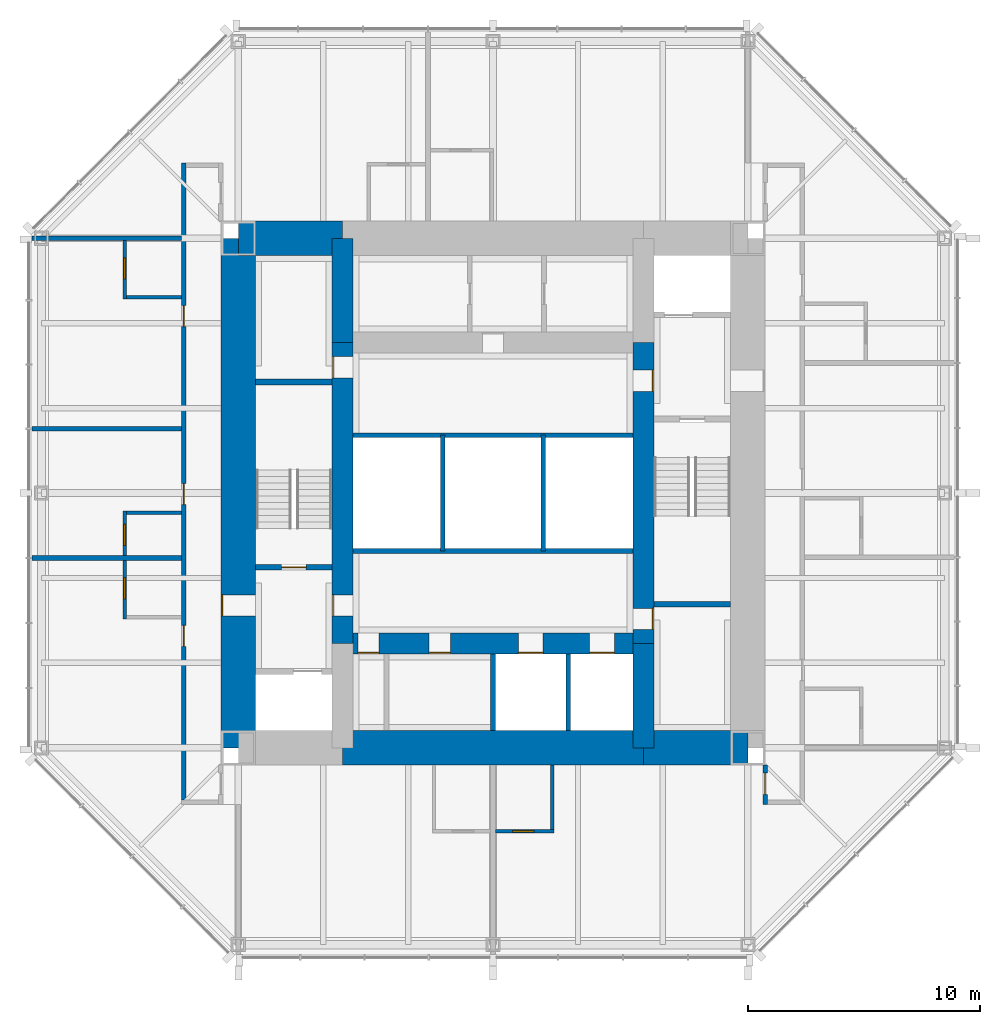
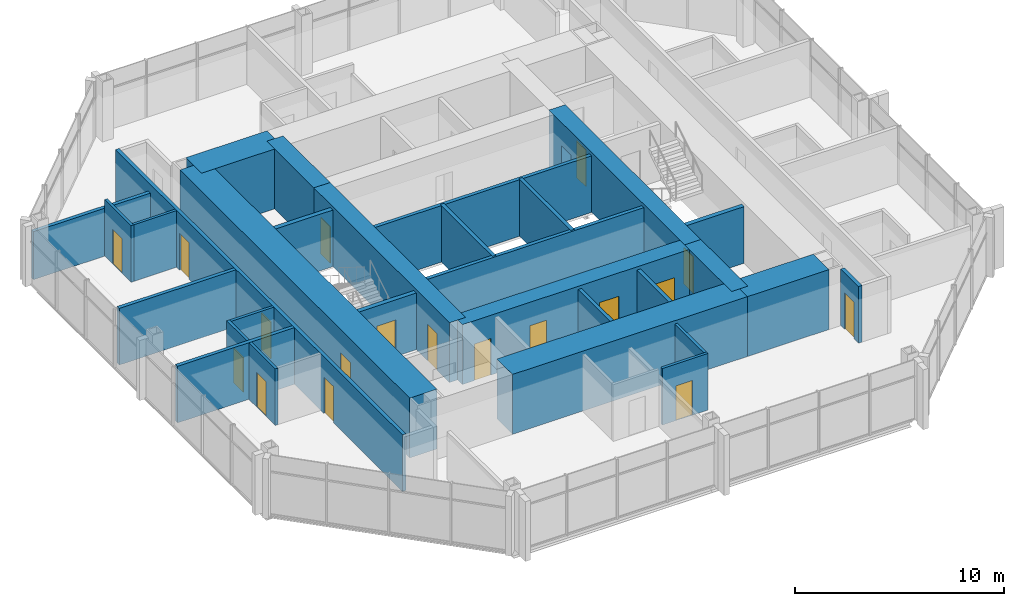
# One storey, part 8 of 11: 30 walls, 18 doors, 18 openings.
"""IFC4 building model written with IfcOpenShell, lengths in metres."""

import ifcopenshell
import ifcopenshell.guid

model = None  # the IFC model being written
_history = None  # IfcOwnerHistory: only IFC2X3 demands one
_inside = {}  # id of a spatial element -> (the spatial element, [elements in it])
_under = {}  # id of a project, library or spatial element -> (it, [spatial elements below it])
_declared = {}  # id of a project -> (the project, [libraries it declares])
_typed = {}  # id of a type object -> (the type object, [elements of that type])
_made_of = {}  # id of a material, layer set ... -> (it, [elements and type objects made of it])


def new_model(schema):
    """Start an empty IFC model of exactly this schema.

    Asked for "IFC4X3", IfcOpenShell would pick the latest addendum, in which some entities
    have other attributes; the version numbers below select the first issue.
    IFC2X3 requires an IfcOwnerHistory on every rooted entity: one is made here for all.
    """
    global model, _history
    if schema == "IFC4X3":
        model = ifcopenshell.file(schema_version=(4, 3, 0, 0))
    else:
        model = ifcopenshell.file(schema=schema)
    _inside.clear()
    _under.clear()
    _declared.clear()
    _typed.clear()
    _made_of.clear()
    _history = None
    if model.schema == "IFC2X3":
        org = make("IfcOrganization", Name="unknown")
        user = make(
            "IfcPersonAndOrganization",
            ThePerson=make("IfcPerson", FamilyName="unknown"),
            TheOrganization=org,
        )
        app = make(
            "IfcApplication",
            ApplicationDeveloper=org,
            Version="unknown",
            ApplicationFullName="unknown",
            ApplicationIdentifier="unknown",
        )
        _history = make(
            "IfcOwnerHistory",
            OwningUser=user,
            OwningApplication=app,
            ChangeAction="ADDED",
            CreationDate=0,
        )
    return model


def make(cls, **values):
    """One entity of the class cls with the attributes given. An attribute that is None is left unset."""
    return model.create_entity(
        cls, **{name: value for name, value in values.items() if value is not None}
    )


def rooted(cls, **values):
    """An entity with a GlobalId (a new one), such as an element, a storey or a relation."""
    return make(cls, GlobalId=ifcopenshell.guid.new(), OwnerHistory=_history, **values)


def si_unit(unit_type, name, prefix=None):
    """IfcSIUnit, for example si_unit("LENGTHUNIT", "METRE", prefix="MILLI")."""
    return make("IfcSIUnit", UnitType=unit_type, Prefix=prefix, Name=name)


def assignment(units):
    """IfcUnitAssignment: the units of a project."""
    return None if units is None else make("IfcUnitAssignment", Units=units)


def point(xyz):
    """IfcCartesianPoint."""
    return None if xyz is None else make("IfcCartesianPoint", Coordinates=xyz)


def direction(xyz):
    """IfcDirection."""
    return None if xyz is None else make("IfcDirection", DirectionRatios=xyz)


def frame(location, z_axis=None, x_axis=None):
    """IfcAxis2Placement3D, a coordinate frame: its origin and axes. An axis left out is left unset."""
    return make(
        "IfcAxis2Placement3D",
        Location=point(location),
        Axis=direction(z_axis),
        RefDirection=direction(x_axis),
    )


def frame_2d(location, x_axis=None):
    """IfcAxis2Placement2D, a coordinate frame in the plane: its origin and x axis."""
    return make(
        "IfcAxis2Placement2D", Location=point(location), RefDirection=direction(x_axis)
    )


def origin():
    """The frame at (0, 0, 0) with its axes left unset."""
    return frame((0.0, 0.0, 0.0))


def place(relative_to, where):
    """IfcLocalPlacement: puts the frame where relative to a parent placement (None: the world)."""
    return make(
        "IfcLocalPlacement", PlacementRelTo=relative_to, RelativePlacement=where
    )


def context(
    kind, dimensions, precision=None, world=None, true_north=None, identifier=None
):
    """IfcGeometricRepresentationContext, for example the 3D "Model" context."""
    return make(
        "IfcGeometricRepresentationContext",
        ContextIdentifier=identifier,
        ContextType=kind,
        CoordinateSpaceDimension=dimensions,
        Precision=precision,
        WorldCoordinateSystem=world,
        TrueNorth=true_north,
    )


def subcontext(parent, identifier, kind, view, scale=None):
    """IfcGeometricRepresentationSubContext, for example "Body" below "Model"."""
    return make(
        "IfcGeometricRepresentationSubContext",
        ContextIdentifier=identifier,
        ContextType=kind,
        ParentContext=parent,
        TargetScale=scale,
        TargetView=view,
    )


def project(units=None, contexts=None):
    """IfcProject with its units and contexts."""
    return rooted(
        "IfcProject",
        Name="project",
        RepresentationContexts=contexts,
        UnitsInContext=assignment(units),
    )


def spatial(cls, under=None, at=None, **own):
    """A site, building, storey or space (cls), placed at a placement, below another one or the project."""
    s = rooted(cls, ObjectPlacement=at, **own)
    if under is not None:
        _under.setdefault(under.id(), (under, []))[1].append(s)
    return s


def profile(cls, at=None, kind="AREA", **sizes):
    """A parametric profile (cls). Its sizes go by their IFC names, for example OverallWidth=200.0."""
    return make(cls, ProfileType=kind, Position=at, **sizes)


def rectangle(**sizes):
    """IfcRectangleProfileDef."""
    return profile("IfcRectangleProfileDef", **sizes)


def extrude(swept, where, along, depth):
    """IfcExtrudedAreaSolid: the profile swept, set in the frame where, extruded along a direction by depth."""
    return make(
        "IfcExtrudedAreaSolid",
        SweptArea=swept,
        Position=where,
        ExtrudedDirection=direction(along),
        Depth=depth,
    )


def shape(context_of_items, identifier, shape_type, items):
    """IfcShapeRepresentation: the items that make up one representation, for example the "Body"."""
    return make(
        "IfcShapeRepresentation",
        ContextOfItems=context_of_items,
        RepresentationIdentifier=identifier,
        RepresentationType=shape_type,
        Items=items,
    )


def material(Name=None, Category=None):
    """IfcMaterial."""
    return make("IfcMaterial", Name=Name, Category=Category)


def layer(
    of_material, thickness, ventilated=None, Name=None, Category=None, Priority=None
):
    """IfcMaterialLayer: one layer of a wall or slab, of a material (None: an air gap)."""
    return make(
        "IfcMaterialLayer",
        Material=of_material,
        LayerThickness=thickness,
        IsVentilated=ventilated,
        Name=Name,
        Category=Category,
        Priority=Priority,
    )


def layer_set(layers, Name=None):
    """IfcMaterialLayerSet."""
    return make("IfcMaterialLayerSet", MaterialLayers=layers, LayerSetName=Name)


def made_of(thing, what):
    """Note that an element or type object is made of a material, layer set ...; save() writes the relation."""
    if what is not None:
        _made_of.setdefault(what.id(), (what, []))[1].append(thing)
    return thing


def type_object(cls, material=None, **own):
    """A type object (cls), such as IfcWallType, which elements share."""
    return made_of(rooted(cls, **own), material)


def element(
    cls,
    number,
    at=None,
    inside=None,
    cuts=None,
    type_object=None,
    material=None,
    context=None,
    identifier="Body",
    shape_type=None,
    held_by="IfcProductDefinitionShape",
    body=None,
    shapes=None,
    **own,
):
    """One element of the class cls, such as IfcWall. Its Tag is "e" and its number.

    at: its placement. inside: the storey or other place that contains it. cuts: it is an
    opening in that element (IfcRelVoidsElement). A single representation is given by context,
    identifier, shape_type and body (its items); several are given by shapes. held_by: the class
    of the entity that holds the representations. save() writes the other relations.
    """
    e = rooted(cls, Tag="e%d" % number, ObjectPlacement=at, **own)
    if body is not None:
        shapes = [shape(context, identifier, shape_type, body)]
    if shapes is not None:
        e.Representation = make(held_by, Representations=shapes)
    if inside is not None:
        _inside.setdefault(inside.id(), (inside, []))[1].append(e)
    if cuts is not None:
        rooted(
            "IfcRelVoidsElement", RelatingBuildingElement=cuts, RelatedOpeningElement=e
        )
    if type_object is not None:
        _typed.setdefault(type_object.id(), (type_object, []))[1].append(e)
    return made_of(e, material)


def fill(opening, filler):
    """IfcRelFillsElement: the door or window that sits in an opening."""
    return rooted(
        "IfcRelFillsElement",
        RelatingOpeningElement=opening,
        RelatedBuildingElement=filler,
    )


def aggregate(whole, parts):
    """IfcRelAggregates: a whole, such as a stair, and the parts it consists of."""
    return rooted("IfcRelAggregates", RelatingObject=whole, RelatedObjects=parts)


def save(model, path):
    """Write the relations noted so far, then the file.

    IfcRelAggregates (storeys below a building ...), IfcRelContainedInSpatialStructure (elements
    in a storey), IfcRelDefinesByType, IfcRelAssociatesMaterial and IfcRelDeclares: one each for
    every whole, place, type object, material and project.
    """
    for whole, parts in _under.values():
        aggregate(whole, parts)
    for where, things in _inside.values():
        rooted(
            "IfcRelContainedInSpatialStructure",
            RelatedElements=things,
            RelatingStructure=where,
        )
    for kind, things in _typed.values():
        rooted("IfcRelDefinesByType", RelatedObjects=things, RelatingType=kind)
    for what, things in _made_of.values():
        rooted("IfcRelAssociatesMaterial", RelatedObjects=things, RelatingMaterial=what)
    for by, libraries in _declared.values():
        rooted("IfcRelDeclares", RelatingContext=by, RelatedDefinitions=libraries)
    model.write(path)


model = new_model("IFC4")

# Units and contexts
model_context = context("Model", 3, precision=1e-05, world=origin(), true_north=direction((0.0, 1.0)))
body_context = subcontext(model_context, "Body", "Model", "MODEL_VIEW")
ifc_project = project(units=[si_unit("LENGTHUNIT", "METRE"), si_unit("AREAUNIT", "SQUARE_METRE"), si_unit("VOLUMEUNIT", "CUBIC_METRE"), si_unit("PLANEANGLEUNIT", "RADIAN"), si_unit("MASSUNIT", "GRAM", prefix="KILO")], contexts=[model_context])

# Site, building, storey
site_placement = place(None, origin())
site = spatial("IfcSite", under=ifc_project, at=site_placement, CompositionType="ELEMENT")
building_placement = place(site_placement, origin())
building = spatial("IfcBuilding", under=site, at=building_placement, Name="Trevanion Tower", CompositionType="ELEMENT")
storey_placement = place(building_placement, frame((0.0, 0.0, 232.699951171875)))
storey = spatial("IfcBuildingStorey", under=building, at=storey_placement, Name="L56", CompositionType="ELEMENT", Elevation=232.699951171875)

# Wall, opening, door
ifc_material_1 = material(Name="Concrete 10,000 psi", Category="concrete")
ifc_layer_1 = layer(ifc_material_1, 1.5)
ifc_layer_set_1 = layer_set([ifc_layer_1], Name="CW1 core wall 1500")
wall_type_1 = type_object("IfcWallType", Name="CW1 core wall 1500", PredefinedType="SHEAR", material=ifc_layer_set_1)
wall_1_placement = place(storey_placement, frame((-11.0, 11.0, 0.0), z_axis=(0.0, 0.0, 1.0), x_axis=(0.0, -1.0, 0.0)))
wall_1 = element("IfcWall", 1, at=wall_1_placement, inside=storey, type_object=wall_type_1, Name="CW1 CW L56", PredefinedType="SHEAR", context=body_context, shape_type="SweptSolid", body=[
    extrude(rectangle(XDim=22.0, YDim=1.5, at=frame_2d((11.0, 0.0))), origin(), (0.0, 0.0, 1.0), 3.5),
])
opening_1_placement = place(wall_1_placement, frame((15.392578125, 0.0, 0.0)))
opening_1 = element("IfcOpeningElement", 2, at=opening_1_placement, cuts=wall_1, Name="Opening 56-002", PredefinedType="OPENING", context=body_context, shape_type="SweptSolid", body=[
    extrude(rectangle(XDim=0.9150390625, YDim=2.134033203125, at=frame_2d((0.45751953125, 1.06689453125))), frame((0.0, 0.760009765625, 0.0), z_axis=(0.0, -1.0, 0.0), x_axis=(1.0, 0.0, 0.0)), (0.0, 0.0, 1.0), 1.52001953125),
])
ifc_material_2 = material(Name="Hollow metal, fire rated", Category="steel")
door_type_1 = type_object("IfcDoorType", Name="D3 fire lift lobby door", OperationType="SINGLE_SWING_RIGHT", PredefinedType="DOOR", material=ifc_material_2)
door_1_placement = place(opening_1_placement, origin())
door_1 = element("IfcDoor", 3, at=door_1_placement, inside=storey, type_object=door_type_1, Name="Door 56-002", OperationType="SINGLE_SWING_RIGHT", OverallHeight=2.134033203125, OverallWidth=0.9150390625, PredefinedType="DOOR", context=body_context, shape_type="SweptSolid", body=[
    extrude(rectangle(XDim=0.9150390625, YDim=2.134033203125, at=frame_2d((0.45751953125, 1.06689453125))), frame((0.0, -0.6748046875, 0.0), z_axis=(0.0, -1.0, 0.0), x_axis=(1.0, 0.0, 0.0)), (0.0, 0.0, 1.0), 0.050048828125),
])
fill(opening_1, door_1)

# Walls
wall_2_placement = place(storey_placement, frame((-6.5, 11.0, 0.0), z_axis=(0.0, 0.0, 1.0), x_axis=(-1.0, 0.0, 0.0)))
element("IfcWall", 4, at=wall_2_placement, inside=storey, type_object=wall_type_1, Name="CW1 CN3 L56", PredefinedType="SHEAR", context=body_context, shape_type="SweptSolid", body=[
    extrude(rectangle(XDim=4.5, YDim=1.5, at=frame_2d((2.25, 0.0))), origin(), (0.0, 0.0, 1.0), 3.5),
])
wall_3_placement = place(storey_placement, frame((-6.5, -11.0, 0.0), z_axis=(0.0, 0.0, 1.0), x_axis=(1.0, 0.0, 0.0)))
element("IfcWall", 5, at=wall_3_placement, inside=storey, type_object=wall_type_1, Name="CW1 CS2 L56", PredefinedType="SHEAR", context=body_context, shape_type="SweptSolid", body=[
    extrude(rectangle(XDim=13.0, YDim=1.5, at=frame_2d((6.5, 0.0))), origin(), (0.0, 0.0, 1.0), 3.5),
])
wall_4_placement = place(storey_placement, frame((6.5, -11.0, 0.0), z_axis=(0.0, 0.0, 1.0), x_axis=(1.0, 0.0, 0.0)))
element("IfcWall", 6, at=wall_4_placement, inside=storey, type_object=wall_type_1, Name="CW1 CS3 L56", PredefinedType="SHEAR", context=body_context, shape_type="SweptSolid", body=[
    extrude(rectangle(XDim=4.5, YDim=1.5, at=frame_2d((2.25, 0.0))), origin(), (0.0, 0.0, 1.0), 3.5),
])
ifc_material_3 = material(Name="Concrete 10,000 psi", Category="concrete")
ifc_layer_2 = layer(ifc_material_3, 0.89990234375)
ifc_layer_set_2 = layer_set([ifc_layer_2], Name="CW2 core wall 900")
wall_type_2 = type_object("IfcWallType", Name="CW2 core wall 900", PredefinedType="SHEAR", material=ifc_layer_set_2)
wall_5_placement = place(storey_placement, frame((6.5, -11.0, 0.0), z_axis=(0.0, 0.0, 1.0), x_axis=(0.0, 1.0, 0.0)))
element("IfcWall", 7, at=wall_5_placement, inside=storey, type_object=wall_type_2, Name="CW2 RE1 L56", PredefinedType="SHEAR", context=body_context, shape_type="SweptSolid", body=[
    extrude(rectangle(XDim=4.5, YDim=0.89990234375, at=frame_2d((2.25, 0.0))), origin(), (0.0, 0.0, 1.0), 3.5),
])

# Wall, openings, doors
wall_6_placement = place(storey_placement, frame((6.5, -6.5, 0.0), z_axis=(0.0, 0.0, 1.0), x_axis=(0.0, 1.0, 0.0)))
wall_6 = element("IfcWall", 8, at=wall_6_placement, inside=storey, type_object=wall_type_2, Name="CW2 RE2 L56", PredefinedType="SHEAR", context=body_context, shape_type="SweptSolid", body=[
    extrude(rectangle(XDim=13.0, YDim=0.89990234375, at=frame_2d((6.5, 0.0))), origin(), (0.0, 0.0, 1.0), 3.5),
])
opening_2_placement = place(wall_6_placement, frame((10.892578125, 0.0, 0.0)))
opening_2 = element("IfcOpeningElement", 9, at=opening_2_placement, cuts=wall_6, Name="Opening 56-003", PredefinedType="OPENING", context=body_context, shape_type="SweptSolid", body=[
    extrude(rectangle(XDim=0.9150390625, YDim=2.134033203125, at=frame_2d((0.45751953125, 1.06689453125))), frame((0.0, 0.4599609375, 0.0), z_axis=(0.0, -1.0, 0.0), x_axis=(1.0, 0.0, 0.0)), (0.0, 0.0, 1.0), 0.919921875),
])
opening_3_placement = place(wall_6_placement, frame((0.610107421875, 0.0, 0.0)))
opening_3 = element("IfcOpeningElement", 10, at=opening_3_placement, cuts=wall_6, Name="Opening 56-009", PredefinedType="OPENING", context=body_context, shape_type="SweptSolid", body=[
    extrude(rectangle(XDim=0.9150390625, YDim=2.134033203125, at=frame_2d((0.45751953125, 1.06689453125))), frame((0.0, 0.4599609375, 0.0), z_axis=(0.0, -1.0, 0.0), x_axis=(1.0, 0.0, 0.0)), (0.0, 0.0, 1.0), 0.919921875),
])
door_2_placement = place(opening_2_placement, origin())
door_2 = element("IfcDoor", 11, at=door_2_placement, inside=storey, type_object=door_type_1, Name="Door 56-003", OperationType="SINGLE_SWING_RIGHT", OverallHeight=2.134033203125, OverallWidth=0.9150390625, PredefinedType="DOOR", context=body_context, shape_type="SweptSolid", body=[
    extrude(rectangle(XDim=0.9150390625, YDim=2.134033203125, at=frame_2d((0.45751953125, 1.06689453125))), frame((0.0, -0.375, 0.0), z_axis=(0.0, -1.0, 0.0), x_axis=(1.0, 0.0, 0.0)), (0.0, 0.0, 1.0), 0.050048828125),
])
fill(opening_2, door_2)
ifc_material_4 = material(Name="Hollow metal, fire rated", Category="steel")
door_type_2 = type_object("IfcDoorType", Name="D5 service room door", OperationType="SINGLE_SWING_RIGHT", PredefinedType="DOOR", material=ifc_material_4)
door_3_placement = place(opening_3_placement, origin())
door_3 = element("IfcDoor", 12, at=door_3_placement, inside=storey, type_object=door_type_2, Name="Door 56-009", OperationType="SINGLE_SWING_RIGHT", OverallHeight=2.134033203125, OverallWidth=0.9150390625, PredefinedType="DOOR", context=body_context, shape_type="SweptSolid", body=[
    extrude(rectangle(XDim=0.9150390625, YDim=2.134033203125, at=frame_2d((0.45751953125, 1.06689453125))), frame((0.0, -0.375, 0.0), z_axis=(0.0, -1.0, 0.0), x_axis=(1.0, 0.0, 0.0)), (0.0, 0.0, 1.0), 0.050048828125),
])
fill(opening_3, door_3)

# Wall
wall_7_placement = place(storey_placement, frame((-6.5, 11.0, 0.0), z_axis=(0.0, 0.0, 1.0), x_axis=(0.0, -1.0, 0.0)))
element("IfcWall", 13, at=wall_7_placement, inside=storey, type_object=wall_type_2, Name="CW2 RW1 L56", PredefinedType="SHEAR", context=body_context, shape_type="SweptSolid", body=[
    extrude(rectangle(XDim=4.5, YDim=0.89990234375, at=frame_2d((2.25, 0.0))), origin(), (0.0, 0.0, 1.0), 3.5),
])

# Wall, openings, doors
wall_8_placement = place(storey_placement, frame((-6.5, 6.5, 0.0), z_axis=(0.0, 0.0, 1.0), x_axis=(0.0, -1.0, 0.0)))
wall_8 = element("IfcWall", 14, at=wall_8_placement, inside=storey, type_object=wall_type_2, Name="CW2 RW2 L56", PredefinedType="SHEAR", context=body_context, shape_type="SweptSolid", body=[
    extrude(rectangle(XDim=13.0, YDim=0.89990234375, at=frame_2d((6.5, 0.0))), origin(), (0.0, 0.0, 1.0), 3.5),
])
opening_4_placement = place(wall_8_placement, frame((10.892578125, 0.0, 0.0)))
opening_4 = element("IfcOpeningElement", 15, at=opening_4_placement, cuts=wall_8, Name="Opening 56-004", PredefinedType="OPENING", context=body_context, shape_type="SweptSolid", body=[
    extrude(rectangle(XDim=0.9150390625, YDim=2.134033203125, at=frame_2d((0.45751953125, 1.06689453125))), frame((0.0, 0.4599609375, 0.0), z_axis=(0.0, -1.0, 0.0), x_axis=(1.0, 0.0, 0.0)), (0.0, 0.0, 1.0), 0.919921875),
])
opening_5_placement = place(wall_8_placement, frame((0.610107421875, 0.0, 0.0)))
opening_5 = element("IfcOpeningElement", 16, at=opening_5_placement, cuts=wall_8, Name="Opening 56-010", PredefinedType="OPENING", context=body_context, shape_type="SweptSolid", body=[
    extrude(rectangle(XDim=0.9150390625, YDim=2.134033203125, at=frame_2d((0.45751953125, 1.06689453125))), frame((0.0, 0.4599609375, 0.0), z_axis=(0.0, -1.0, 0.0), x_axis=(1.0, 0.0, 0.0)), (0.0, 0.0, 1.0), 0.919921875),
])
door_4_placement = place(opening_4_placement, origin())
door_4 = element("IfcDoor", 17, at=door_4_placement, inside=storey, type_object=door_type_1, Name="Door 56-004", OperationType="SINGLE_SWING_RIGHT", OverallHeight=2.134033203125, OverallWidth=0.9150390625, PredefinedType="DOOR", context=body_context, shape_type="SweptSolid", body=[
    extrude(rectangle(XDim=0.9150390625, YDim=2.134033203125, at=frame_2d((0.45751953125, 1.06689453125))), frame((0.0, -0.375, 0.0), z_axis=(0.0, -1.0, 0.0), x_axis=(1.0, 0.0, 0.0)), (0.0, 0.0, 1.0), 0.050048828125),
])
fill(opening_4, door_4)
door_5_placement = place(opening_5_placement, origin())
door_5 = element("IfcDoor", 18, at=door_5_placement, inside=storey, type_object=door_type_2, Name="Door 56-010", OperationType="SINGLE_SWING_RIGHT", OverallHeight=2.134033203125, OverallWidth=0.9150390625, PredefinedType="DOOR", context=body_context, shape_type="SweptSolid", body=[
    extrude(rectangle(XDim=0.9150390625, YDim=2.134033203125, at=frame_2d((0.45751953125, 1.06689453125))), frame((0.0, -0.375, 0.0), z_axis=(0.0, -1.0, 0.0), x_axis=(1.0, 0.0, 0.0)), (0.0, 0.0, 1.0), 0.050048828125),
])
fill(opening_5, door_5)

wall_9_placement = place(storey_placement, frame((-6.5, -6.5, 0.0), z_axis=(0.0, 0.0, 1.0), x_axis=(1.0, 0.0, 0.0)))
wall_9 = element("IfcWall", 19, at=wall_9_placement, inside=storey, type_object=wall_type_2, Name="CW2 RS L56", PredefinedType="SHEAR", context=body_context, shape_type="SweptSolid", body=[
    extrude(rectangle(XDim=13.0, YDim=0.89990234375, at=frame_2d((6.5, 0.0))), origin(), (0.0, 0.0, 1.0), 3.5),
])
opening_6_placement = place(wall_9_placement, frame((7.591552734375, 0.0, 0.0)))
opening_6 = element("IfcOpeningElement", 20, at=opening_6_placement, cuts=wall_9, Name="Opening 56-011", PredefinedType="OPENING", context=body_context, shape_type="SweptSolid", body=[
    extrude(rectangle(XDim=1.06689453125, YDim=2.134033203125, at=frame_2d((0.533447265625, 1.06689453125))), frame((0.0, 0.4599609375, 0.0), z_axis=(0.0, -1.0, 0.0), x_axis=(1.0, 0.0, 0.0)), (0.0, 0.0, 1.0), 0.919921875),
])
opening_7_placement = place(wall_9_placement, frame((10.66650390625, 0.0, 0.0)))
opening_7 = element("IfcOpeningElement", 21, at=opening_7_placement, cuts=wall_9, Name="Opening 56-012", PredefinedType="OPENING", context=body_context, shape_type="SweptSolid", body=[
    extrude(rectangle(XDim=1.06689453125, YDim=2.134033203125, at=frame_2d((0.533447265625, 1.06689453125))), frame((0.0, 0.4599609375, 0.0), z_axis=(0.0, -1.0, 0.0), x_axis=(1.0, 0.0, 0.0)), (0.0, 0.0, 1.0), 0.919921875),
])
opening_8_placement = place(wall_9_placement, frame((0.66748046875, 0.0, 0.0)))
opening_8 = element("IfcOpeningElement", 22, at=opening_8_placement, cuts=wall_9, Name="Opening 56-013", PredefinedType="OPENING", context=body_context, shape_type="SweptSolid", body=[
    extrude(rectangle(XDim=0.9150390625, YDim=2.134033203125, at=frame_2d((0.45751953125, 1.06689453125))), frame((0.0, 0.4599609375, 0.0), z_axis=(0.0, -1.0, 0.0), x_axis=(1.0, 0.0, 0.0)), (0.0, 0.0, 1.0), 0.919921875),
])
opening_9_placement = place(wall_9_placement, frame((3.742431640625, 0.0, 0.0)))
opening_9 = element("IfcOpeningElement", 23, at=opening_9_placement, cuts=wall_9, Name="Opening 56-014", PredefinedType="OPENING", context=body_context, shape_type="SweptSolid", body=[
    extrude(rectangle(XDim=0.9150390625, YDim=2.134033203125, at=frame_2d((0.45751953125, 1.06689453125))), frame((0.0, 0.4599609375, 0.0), z_axis=(0.0, -1.0, 0.0), x_axis=(1.0, 0.0, 0.0)), (0.0, 0.0, 1.0), 0.919921875),
])
door_6_placement = place(opening_8_placement, origin())
door_6 = element("IfcDoor", 24, at=door_6_placement, inside=storey, type_object=door_type_2, Name="Door 56-013", OperationType="SINGLE_SWING_RIGHT", OverallHeight=2.134033203125, OverallWidth=0.9150390625, PredefinedType="DOOR", context=body_context, shape_type="SweptSolid", body=[
    extrude(rectangle(XDim=0.9150390625, YDim=2.134033203125, at=frame_2d((0.45751953125, 1.06689453125))), frame((0.0, -0.375, 0.0), z_axis=(0.0, -1.0, 0.0), x_axis=(1.0, 0.0, 0.0)), (0.0, 0.0, 1.0), 0.050048828125),
])
fill(opening_8, door_6)
door_7_placement = place(opening_9_placement, origin())
door_7 = element("IfcDoor", 25, at=door_7_placement, inside=storey, type_object=door_type_2, Name="Door 56-014", OperationType="SINGLE_SWING_RIGHT", OverallHeight=2.134033203125, OverallWidth=0.9150390625, PredefinedType="DOOR", context=body_context, shape_type="SweptSolid", body=[
    extrude(rectangle(XDim=0.9150390625, YDim=2.134033203125, at=frame_2d((0.45751953125, 1.06689453125))), frame((0.0, -0.375, 0.0), z_axis=(0.0, -1.0, 0.0), x_axis=(1.0, 0.0, 0.0)), (0.0, 0.0, 1.0), 0.050048828125),
])
fill(opening_9, door_7)
ifc_material_5 = material(Name="Stainless steel, fire rated", Category="steel")
door_type_3 = type_object("IfcDoorType", Name="LD1 lift landing door", OperationType="SLIDING_TO_LEFT", PredefinedType="DOOR", material=ifc_material_5)
door_8_placement = place(opening_6_placement, origin())
door_8 = element("IfcDoor", 26, at=door_8_placement, inside=storey, type_object=door_type_3, Name="Door 56-011", OperationType="SLIDING_TO_LEFT", OverallHeight=2.134033203125, OverallWidth=1.06689453125, PredefinedType="DOOR", context=body_context, shape_type="SweptSolid", body=[
    extrude(rectangle(XDim=1.06689453125, YDim=2.134033203125, at=frame_2d((0.533447265625, 1.06689453125))), frame((0.0, -0.375, 0.0), z_axis=(0.0, -1.0, 0.0), x_axis=(1.0, 0.0, 0.0)), (0.0, 0.0, 1.0), 0.050048828125),
])
fill(opening_6, door_8)
door_9_placement = place(opening_7_placement, origin())
door_9 = element("IfcDoor", 27, at=door_9_placement, inside=storey, type_object=door_type_3, Name="Door 56-012", OperationType="SLIDING_TO_LEFT", OverallHeight=2.134033203125, OverallWidth=1.06689453125, PredefinedType="DOOR", context=body_context, shape_type="SweptSolid", body=[
    extrude(rectangle(XDim=1.06689453125, YDim=2.134033203125, at=frame_2d((0.533447265625, 1.06689453125))), frame((0.0, -0.375, 0.0), z_axis=(0.0, -1.0, 0.0), x_axis=(1.0, 0.0, 0.0)), (0.0, 0.0, 1.0), 0.050048828125),
])
fill(opening_7, door_9)

# Wall, opening, door
ifc_material_6 = material(Name="Gypsum board on steel studs", Category="steel")
ifc_layer_3 = layer(ifc_material_6, 0.14990234375)
ifc_layer_set_3 = layer_set([ifc_layer_3], Name="PT1 partition 150")
wall_type_3 = type_object("IfcWallType", Name="PT1 partition 150", PredefinedType="PARTITIONING", material=ifc_layer_set_3)
wall_10_placement = place(storey_placement, frame((-15.89990234375, 10.89990234375, 0.0), z_axis=(0.0, 0.0, 1.0), x_axis=(0.0, -1.0, 0.0)))
wall_10 = element("IfcWall", 28, at=wall_10_placement, inside=storey, type_object=wall_type_3, Name="PT1 L56 BA20", PredefinedType="PARTITIONING", context=body_context, shape_type="SweptSolid", body=[
    extrude(rectangle(XDim=2.52490234375, YDim=0.14990234375, at=frame_2d((1.262451171875, 0.0))), origin(), (0.0, 0.0, 1.0), 3.31005859375),
])
opening_10_placement = place(wall_10_placement, frame((0.742431640625, 0.0, 0.0)))
opening_10 = element("IfcOpeningElement", 29, at=opening_10_placement, cuts=wall_10, Name="Opening 56-028", PredefinedType="OPENING", context=body_context, shape_type="SweptSolid", body=[
    extrude(rectangle(XDim=0.9150390625, YDim=2.031982421875, at=frame_2d((0.45751953125, 1.01611328125))), frame((0.0, 0.0849609375, 0.0), z_axis=(0.0, -1.0, 0.0), x_axis=(1.0, 0.0, 0.0)), (0.0, 0.0, 1.0), 0.169921875),
])
ifc_material_7 = material(Name="Timber veneer", Category="wood")
door_type_4 = type_object("IfcDoorType", Name="D7 bathroom door", OperationType="SINGLE_SWING_LEFT", PredefinedType="DOOR", material=ifc_material_7)
door_10_placement = place(opening_10_placement, origin())
door_10 = element("IfcDoor", 30, at=door_10_placement, inside=storey, type_object=door_type_4, Name="Door 56-028", OperationType="SINGLE_SWING_LEFT", OverallHeight=2.031982421875, OverallWidth=0.9150390625, PredefinedType="DOOR", context=body_context, shape_type="SweptSolid", body=[
    extrude(rectangle(XDim=0.9150390625, YDim=2.031982421875, at=frame_2d((0.45751953125, 1.01611328125))), frame((0.0, 0.02490234375, 0.0), z_axis=(0.0, -1.0, 0.0), x_axis=(1.0, 0.0, 0.0)), (0.0, 0.0, 1.0), 0.050048828125),
])
fill(opening_10, door_10)

# Wall
wall_11_placement = place(storey_placement, frame((-13.449951171875, 8.449951171875, 0.0), z_axis=(0.0, 0.0, 1.0), x_axis=(-1.0, 0.0, 0.0)))
element("IfcWall", 31, at=wall_11_placement, inside=storey, type_object=wall_type_3, Name="PT1 L56 BB20", PredefinedType="PARTITIONING", context=body_context, shape_type="SweptSolid", body=[
    extrude(rectangle(XDim=2.375, YDim=0.14990234375, at=frame_2d((1.1875, 0.0))), origin(), (0.0, 0.0, 1.0), 3.31005859375),
])

# Wall, opening, door
wall_12_placement = place(storey_placement, frame((-15.89990234375, -0.781982421875, 0.0), z_axis=(0.0, 0.0, 1.0), x_axis=(0.0, -1.0, 0.0)))
wall_12 = element("IfcWall", 32, at=wall_12_placement, inside=storey, type_object=wall_type_3, Name="PT1 L56 BA21", PredefinedType="PARTITIONING", context=body_context, shape_type="SweptSolid", body=[
    extrude(rectangle(XDim=1.925048828125, YDim=0.14990234375, at=frame_2d((0.96240234375, 0.0))), origin(), (0.0, 0.0, 1.0), 3.31005859375),
])
opening_11_placement = place(wall_12_placement, frame((0.5673828125, 0.0, 0.0)))
opening_11 = element("IfcOpeningElement", 33, at=opening_11_placement, cuts=wall_12, Name="Opening 56-030", PredefinedType="OPENING", context=body_context, shape_type="SweptSolid", body=[
    extrude(rectangle(XDim=0.9150390625, YDim=2.031982421875, at=frame_2d((0.45751953125, 1.01611328125))), frame((0.0, 0.0849609375, 0.0), z_axis=(0.0, -1.0, 0.0), x_axis=(1.0, 0.0, 0.0)), (0.0, 0.0, 1.0), 0.169921875),
])
door_11_placement = place(opening_11_placement, origin())
door_11 = element("IfcDoor", 34, at=door_11_placement, inside=storey, type_object=door_type_4, Name="Door 56-030", OperationType="SINGLE_SWING_LEFT", OverallHeight=2.031982421875, OverallWidth=0.9150390625, PredefinedType="DOOR", context=body_context, shape_type="SweptSolid", body=[
    extrude(rectangle(XDim=0.9150390625, YDim=2.031982421875, at=frame_2d((0.45751953125, 1.01611328125))), frame((0.0, 0.02490234375, 0.0), z_axis=(0.0, -1.0, 0.0), x_axis=(1.0, 0.0, 0.0)), (0.0, 0.0, 1.0), 0.050048828125),
])
fill(opening_11, door_11)

# Wall
wall_13_placement = place(storey_placement, frame((-13.449951171875, -0.85693359375, 0.0), z_axis=(0.0, 0.0, 1.0), x_axis=(-1.0, 0.0, 0.0)))
element("IfcWall", 35, at=wall_13_placement, inside=storey, type_object=wall_type_3, Name="PT1 L56 BB21", PredefinedType="PARTITIONING", context=body_context, shape_type="SweptSolid", body=[
    extrude(rectangle(XDim=2.375, YDim=0.14990234375, at=frame_2d((1.1875, 0.0))), origin(), (0.0, 0.0, 1.0), 3.31005859375),
])

# Wall, opening, door
wall_14_placement = place(storey_placement, frame((-15.89990234375, -2.906982421875, 0.0), z_axis=(0.0, 0.0, 1.0), x_axis=(0.0, -1.0, 0.0)))
wall_14 = element("IfcWall", 36, at=wall_14_placement, inside=storey, type_object=wall_type_3, Name="PT1 L56 BA22", PredefinedType="PARTITIONING", context=body_context, shape_type="SweptSolid", body=[
    extrude(rectangle(XDim=2.52490234375, YDim=0.14990234375, at=frame_2d((1.262451171875, 0.0))), origin(), (0.0, 0.0, 1.0), 3.31005859375),
])
opening_12_placement = place(wall_14_placement, frame((0.742431640625, 0.0, 0.0)))
opening_12 = element("IfcOpeningElement", 37, at=opening_12_placement, cuts=wall_14, Name="Opening 56-032", PredefinedType="OPENING", context=body_context, shape_type="SweptSolid", body=[
    extrude(rectangle(XDim=0.9150390625, YDim=2.031982421875, at=frame_2d((0.45751953125, 1.01611328125))), frame((0.0, 0.0849609375, 0.0), z_axis=(0.0, -1.0, 0.0), x_axis=(1.0, 0.0, 0.0)), (0.0, 0.0, 1.0), 0.169921875),
])
door_12_placement = place(opening_12_placement, origin())
door_12 = element("IfcDoor", 38, at=door_12_placement, inside=storey, type_object=door_type_4, Name="Door 56-032", OperationType="SINGLE_SWING_LEFT", OverallHeight=2.031982421875, OverallWidth=0.9150390625, PredefinedType="DOOR", context=body_context, shape_type="SweptSolid", body=[
    extrude(rectangle(XDim=0.9150390625, YDim=2.031982421875, at=frame_2d((0.45751953125, 1.01611328125))), frame((0.0, 0.02490234375, 0.0), z_axis=(0.0, -1.0, 0.0), x_axis=(1.0, 0.0, 0.0)), (0.0, 0.0, 1.0), 0.050048828125),
])
fill(opening_12, door_12)

wall_15_placement = place(storey_placement, frame((0.10009765625, -14.60009765625, 0.0), z_axis=(0.0, 0.0, 1.0), x_axis=(1.0, 0.0, 0.0)))
wall_15 = element("IfcWall", 39, at=wall_15_placement, inside=storey, type_object=wall_type_3, Name="PT1 L56 BA31", PredefinedType="PARTITIONING", context=body_context, shape_type="SweptSolid", body=[
    extrude(rectangle(XDim=2.52490234375, YDim=0.14990234375, at=frame_2d((1.262451171875, 0.0))), origin(), (0.0, 0.0, 1.0), 3.31005859375),
])
opening_13_placement = place(wall_15_placement, frame((0.742431640625, 0.0, 0.0)))
opening_13 = element("IfcOpeningElement", 40, at=opening_13_placement, cuts=wall_15, Name="Opening 56-037", PredefinedType="OPENING", context=body_context, shape_type="SweptSolid", body=[
    extrude(rectangle(XDim=0.9150390625, YDim=2.031982421875, at=frame_2d((0.45751953125, 1.01611328125))), frame((0.0, 0.0849609375, 0.0), z_axis=(0.0, -1.0, 0.0), x_axis=(1.0, 0.0, 0.0)), (0.0, 0.0, 1.0), 0.169921875),
])
door_13_placement = place(opening_13_placement, origin())
door_13 = element("IfcDoor", 41, at=door_13_placement, inside=storey, type_object=door_type_4, Name="Door 56-037", OperationType="SINGLE_SWING_LEFT", OverallHeight=2.031982421875, OverallWidth=0.9150390625, PredefinedType="DOOR", context=body_context, shape_type="SweptSolid", body=[
    extrude(rectangle(XDim=0.9150390625, YDim=2.031982421875, at=frame_2d((0.45751953125, 1.01611328125))), frame((0.0, 0.02490234375, 0.0), z_axis=(0.0, -1.0, 0.0), x_axis=(1.0, 0.0, 0.0)), (0.0, 0.0, 1.0), 0.050048828125),
])
fill(opening_13, door_13)

# Walls
wall_16_placement = place(storey_placement, frame((2.550048828125, -11.75, 0.0), z_axis=(0.0, 0.0, 1.0), x_axis=(0.0, -1.0, 0.0)))
element("IfcWall", 42, at=wall_16_placement, inside=storey, type_object=wall_type_3, Name="PT1 L56 BB31", PredefinedType="PARTITIONING", context=body_context, shape_type="SweptSolid", body=[
    extrude(rectangle(XDim=2.77490234375, YDim=0.14990234375, at=frame_2d((1.387451171875, 0.0))), origin(), (0.0, 0.0, 1.0), 3.31005859375),
])
ifc_material_8 = material(Name="Concrete masonry, grouted", Category="masonry")
ifc_layer_4 = layer(ifc_material_8, 0.199951171875)
ifc_layer_set_4 = layer_set([ifc_layer_4], Name="PT2 partition 200 1 HR")
wall_type_4 = type_object("IfcWallType", Name="PT2 partition 200 1 HR", PredefinedType="PARTITIONING", material=ifc_layer_set_4)
for number, where, z_axis, x_axis, name in (
    (43, (-6.050048828125, 2.5, 0.0), (0.0, 0.0, 1.0), (1.0, 0.0, 0.0), "PT2 L56 CP1"),
    (44, (6.050048828125, -2.5, 0.0), (0.0, 0.0, 1.0), (-1.0, 0.0, 0.0), "PT2 L56 CP2"),
):
    element("IfcWall", number, at=place(storey_placement, frame(where, z_axis=z_axis, x_axis=x_axis)), inside=storey, type_object=wall_type_4, Name=name, PredefinedType="PARTITIONING", context=body_context, shape_type="SweptSolid", body=[
        extrude(rectangle(XDim=12.10009765625, YDim=0.199951171875, at=frame_2d((6.050048828125, 0.0))), origin(), (0.0, 0.0, 1.0), 3.31005859375),
    ])

# Wall, opening, door
wall_17_placement = place(storey_placement, frame((11.75, -11.75, 0.0), z_axis=(0.0, 0.0, 1.0), x_axis=(0.0, -1.0, 0.0)))
wall_17 = element("IfcWall", 45, at=wall_17_placement, inside=storey, type_object=wall_type_4, Name="PT2 L56 HO3b", PredefinedType="PARTITIONING", context=body_context, shape_type="SweptSolid", body=[
    extrude(rectangle(XDim=1.699951171875, YDim=0.199951171875, at=frame_2d((0.85009765625, 0.0))), origin(), (0.0, 0.0, 1.0), 3.31005859375),
])
opening_14_placement = place(wall_17_placement, frame((0.342529296875, 0.0, 0.0)))
opening_14 = element("IfcOpeningElement", 46, at=opening_14_placement, cuts=wall_17, Name="Opening 56-035", PredefinedType="OPENING", context=body_context, shape_type="SweptSolid", body=[
    extrude(rectangle(XDim=0.9150390625, YDim=2.134033203125, at=frame_2d((0.45751953125, 1.06689453125))), frame((0.0, 0.10986328125, 0.0), z_axis=(0.0, -1.0, 0.0), x_axis=(1.0, 0.0, 0.0)), (0.0, 0.0, 1.0), 0.219970703125),
])
ifc_material_9 = material(Name="Timber veneer, fire rated", Category="wood")
door_type_5 = type_object("IfcDoorType", Name="D6 guest room entrance door", OperationType="SINGLE_SWING_LEFT", PredefinedType="DOOR", material=ifc_material_9)
door_14_placement = place(opening_14_placement, origin())
door_14 = element("IfcDoor", 47, at=door_14_placement, inside=storey, type_object=door_type_5, Name="Door 56-035", OperationType="SINGLE_SWING_LEFT", OverallHeight=2.134033203125, OverallWidth=0.9150390625, PredefinedType="DOOR", context=body_context, shape_type="SweptSolid", body=[
    extrude(rectangle(XDim=0.9150390625, YDim=2.134033203125, at=frame_2d((0.45751953125, 1.06689453125))), frame((0.0, 0.02490234375, 0.0), z_axis=(0.0, -1.0, 0.0), x_axis=(1.0, 0.0, 0.0)), (0.0, 0.0, 1.0), 0.050048828125),
])
fill(opening_14, door_14)

# Wall, openings, doors
wall_18_placement = place(storey_placement, frame((-13.35009765625, 14.25, 0.0), z_axis=(0.0, 0.0, 1.0), x_axis=(0.0, -1.0, 0.0)))
wall_18 = element("IfcWall", 48, at=wall_18_placement, inside=storey, type_object=wall_type_4, Name="PT2 L56 HC2", PredefinedType="PARTITIONING", context=body_context, shape_type="SweptSolid", body=[
    extrude(rectangle(XDim=27.5, YDim=0.199951171875, at=frame_2d((13.75, 0.0))), origin(), (0.0, 0.0, 1.0), 3.31005859375),
])
opening_15_placement = place(wall_18_placement, frame((6.152587890625, 0.0, 0.0)))
opening_15 = element("IfcOpeningElement", 49, at=opening_15_placement, cuts=wall_18, Name="Opening 56-029", PredefinedType="OPENING", context=body_context, shape_type="SweptSolid", body=[
    extrude(rectangle(XDim=0.9150390625, YDim=2.134033203125, at=frame_2d((0.45751953125, 1.06689453125))), frame((0.0, 0.10986328125, 0.0), z_axis=(0.0, -1.0, 0.0), x_axis=(1.0, 0.0, 0.0)), (0.0, 0.0, 1.0), 0.219970703125),
])
opening_16_placement = place(wall_18_placement, frame((13.839599609375, 0.0, 0.0)))
opening_16 = element("IfcOpeningElement", 50, at=opening_16_placement, cuts=wall_18, Name="Opening 56-031", PredefinedType="OPENING", context=body_context, shape_type="SweptSolid", body=[
    extrude(rectangle(XDim=0.9150390625, YDim=2.134033203125, at=frame_2d((0.45751953125, 1.06689453125))), frame((0.0, 0.10986328125, 0.0), z_axis=(0.0, -1.0, 0.0), x_axis=(1.0, 0.0, 0.0)), (0.0, 0.0, 1.0), 0.219970703125),
])
opening_17_placement = place(wall_18_placement, frame((19.95947265625, 0.0, 0.0)))
opening_17 = element("IfcOpeningElement", 51, at=opening_17_placement, cuts=wall_18, Name="Opening 56-033", PredefinedType="OPENING", context=body_context, shape_type="SweptSolid", body=[
    extrude(rectangle(XDim=0.9150390625, YDim=2.134033203125, at=frame_2d((0.45751953125, 1.06689453125))), frame((0.0, 0.10986328125, 0.0), z_axis=(0.0, -1.0, 0.0), x_axis=(1.0, 0.0, 0.0)), (0.0, 0.0, 1.0), 0.219970703125),
])
door_15_placement = place(opening_15_placement, origin())
door_15 = element("IfcDoor", 52, at=door_15_placement, inside=storey, type_object=door_type_5, Name="Door 56-029", OperationType="SINGLE_SWING_LEFT", OverallHeight=2.134033203125, OverallWidth=0.9150390625, PredefinedType="DOOR", context=body_context, shape_type="SweptSolid", body=[
    extrude(rectangle(XDim=0.9150390625, YDim=2.134033203125, at=frame_2d((0.45751953125, 1.06689453125))), frame((0.0, 0.02490234375, 0.0), z_axis=(0.0, -1.0, 0.0), x_axis=(1.0, 0.0, 0.0)), (0.0, 0.0, 1.0), 0.050048828125),
])
fill(opening_15, door_15)
door_16_placement = place(opening_16_placement, origin())
door_16 = element("IfcDoor", 53, at=door_16_placement, inside=storey, type_object=door_type_5, Name="Door 56-031", OperationType="SINGLE_SWING_LEFT", OverallHeight=2.134033203125, OverallWidth=0.9150390625, PredefinedType="DOOR", context=body_context, shape_type="SweptSolid", body=[
    extrude(rectangle(XDim=0.9150390625, YDim=2.134033203125, at=frame_2d((0.45751953125, 1.06689453125))), frame((0.0, 0.02490234375, 0.0), z_axis=(0.0, -1.0, 0.0), x_axis=(1.0, 0.0, 0.0)), (0.0, 0.0, 1.0), 0.050048828125),
])
fill(opening_16, door_16)
door_17_placement = place(opening_17_placement, origin())
door_17 = element("IfcDoor", 54, at=door_17_placement, inside=storey, type_object=door_type_5, Name="Door 56-033", OperationType="SINGLE_SWING_LEFT", OverallHeight=2.134033203125, OverallWidth=0.9150390625, PredefinedType="DOOR", context=body_context, shape_type="SweptSolid", body=[
    extrude(rectangle(XDim=0.9150390625, YDim=2.134033203125, at=frame_2d((0.45751953125, 1.06689453125))), frame((0.0, 0.02490234375, 0.0), z_axis=(0.0, -1.0, 0.0), x_axis=(1.0, 0.0, 0.0)), (0.0, 0.0, 1.0), 0.050048828125),
])
fill(opening_17, door_17)

# Walls
wall_19_placement = place(storey_placement, frame((-13.449951171875, 11.0, 0.0), z_axis=(0.0, 0.0, 1.0), x_axis=(-1.0, 0.0, 0.0)))
element("IfcWall", 55, at=wall_19_placement, inside=storey, type_object=wall_type_4, Name="PT2 L56 HD20", PredefinedType="PARTITIONING", context=body_context, shape_type="SweptSolid", body=[
    extrude(rectangle(XDim=6.465087890625, YDim=0.199951171875, at=frame_2d((3.232421875, 0.0))), origin(), (0.0, 0.0, 1.0), 2.802001953125),
])
for number, where, z_axis, x_axis, name in (
    (56, (-13.449951171875, 2.77490234375, 0.0), (0.0, 0.0, 1.0), (-1.0, 0.0, 0.0), "PT2 L56 HD21"),
    (57, (-13.449951171875, -2.806884765625, 0.0), (0.0, 0.0, 1.0), (-1.0, 0.0, 0.0), "PT2 L56 HD22"),
):
    element("IfcWall", number, at=place(storey_placement, frame(where, z_axis=z_axis, x_axis=x_axis)), inside=storey, type_object=wall_type_4, Name=name, PredefinedType="PARTITIONING", context=body_context, shape_type="SweptSolid", body=[
        extrude(rectangle(XDim=6.465087890625, YDim=0.199951171875, at=frame_2d((3.232421875, 0.0))), origin(), (0.0, 0.0, 1.0), 3.31005859375),
    ])
ifc_material_10 = material(Name="Concrete masonry, grouted", Category="masonry")
ifc_layer_5 = layer(ifc_material_10, 0.199951171875)
ifc_layer_set_5 = layer_set([ifc_layer_5], Name="PT2 partition 200 2 HR")
wall_type_5 = type_object("IfcWallType", Name="PT2 partition 200 2 HR", PredefinedType="PARTITIONING", material=ifc_layer_set_5)
for number, where, z_axis, x_axis, name in (
    (58, (0.0, -10.25, 0.0), (0.0, 0.0, 1.0), (0.0, 1.0, 0.0), "PT2 L56 SS1"),
    (59, (3.25, -10.25, 0.0), (0.0, 0.0, 1.0), (0.0, 1.0, 0.0), "PT2 L56 SS2"),
):
    element("IfcWall", number, at=place(storey_placement, frame(where, z_axis=z_axis, x_axis=x_axis)), inside=storey, type_object=wall_type_5, Name=name, PredefinedType="PARTITIONING", context=body_context, shape_type="SweptSolid", body=[
        extrude(rectangle(XDim=3.300048828125, YDim=0.199951171875, at=frame_2d((1.64990234375, 0.0))), origin(), (0.0, 0.0, 1.0), 3.31005859375),
    ])
for number, where, z_axis, x_axis, name in (
    (60, (-2.166748046875, -2.5, 0.0), (0.0, 0.0, 1.0), (0.0, 1.0, 0.0), "PT2 L56 MS0"),
    (61, (2.166748046875, -2.5, 0.0), (0.0, 0.0, 1.0), (0.0, 1.0, 0.0), "PT2 L56 MS1"),
):
    element("IfcWall", number, at=place(storey_placement, frame(where, z_axis=z_axis, x_axis=x_axis)), inside=storey, type_object=wall_type_5, Name=name, PredefinedType="PARTITIONING", context=body_context, shape_type="SweptSolid", body=[
        extrude(rectangle(XDim=5.0, YDim=0.199951171875, at=frame_2d((2.5, 0.0))), origin(), (0.0, 0.0, 1.0), 3.31005859375),
    ])
ifc_material_11 = material(Name="Reinforced masonry, fully grouted", Category="masonry")
ifc_layer_6 = layer(ifc_material_11, 0.25)
ifc_layer_set_6 = layer_set([ifc_layer_6], Name="SW1 stair shaft wall 250")
wall_type_6 = type_object("IfcWallType", Name="SW1 stair shaft wall 250", PredefinedType="SOLIDWALL", material=ifc_layer_set_6)
for number, where, z_axis, x_axis, name in (
    (62, (6.949951171875, -4.800048828125, 0.0), (0.0, 0.0, 1.0), (1.0, 0.0, 0.0), "SW1 L56 EP1"),
    (63, (-6.949951171875, 4.800048828125, 0.0), (0.0, 0.0, 1.0), (-1.0, 0.0, 0.0), "SW1 L56 WP1"),
):
    element("IfcWall", number, at=place(storey_placement, frame(where, z_axis=z_axis, x_axis=x_axis)), inside=storey, type_object=wall_type_6, Name=name, PredefinedType="SOLIDWALL", context=body_context, shape_type="SweptSolid", body=[
        extrude(rectangle(XDim=3.300048828125, YDim=0.25, at=frame_2d((1.64990234375, 0.0))), origin(), (0.0, 0.0, 1.0), 3.31005859375),
    ])

# Wall, opening, door
wall_20_placement = place(storey_placement, frame((-6.949951171875, -3.199951171875, 0.0), z_axis=(0.0, 0.0, 1.0), x_axis=(-1.0, 0.0, 0.0)))
wall_20 = element("IfcWall", 64, at=wall_20_placement, inside=storey, type_object=wall_type_6, Name="SW1 L56 WP2", PredefinedType="SOLIDWALL", context=body_context, shape_type="SweptSolid", body=[
    extrude(rectangle(XDim=3.300048828125, YDim=0.25, at=frame_2d((1.64990234375, 0.0))), origin(), (0.0, 0.0, 1.0), 3.31005859375),
])
opening_18_placement = place(wall_20_placement, frame((1.116455078125, 0.0, 0.0)))
opening_18 = element("IfcOpeningElement", 65, at=opening_18_placement, cuts=wall_20, Name="Opening 56-006", PredefinedType="OPENING", context=body_context, shape_type="SweptSolid", body=[
    extrude(rectangle(XDim=1.06689453125, YDim=2.134033203125, at=frame_2d((0.533447265625, 1.06689453125))), frame((0.0, 0.135009765625, 0.0), z_axis=(0.0, -1.0, 0.0), x_axis=(1.0, 0.0, 0.0)), (0.0, 0.0, 1.0), 0.27001953125),
])
ifc_material_12 = material(Name="Hollow metal, fire rated", Category="steel")
door_type_6 = type_object("IfcDoorType", Name="D2 exit stair door", OperationType="SINGLE_SWING_LEFT", PredefinedType="DOOR", material=ifc_material_12)
door_18_placement = place(opening_18_placement, origin())
door_18 = element("IfcDoor", 66, at=door_18_placement, inside=storey, type_object=door_type_6, Name="Door 56-006", OperationType="SINGLE_SWING_LEFT", OverallHeight=2.134033203125, OverallWidth=1.06689453125, PredefinedType="DOOR", context=body_context, shape_type="SweptSolid", body=[
    extrude(rectangle(XDim=1.06689453125, YDim=2.134033203125, at=frame_2d((0.533447265625, 1.06689453125))), frame((0.0, 0.02490234375, 0.0), z_axis=(0.0, -1.0, 0.0), x_axis=(1.0, 0.0, 0.0)), (0.0, 0.0, 1.0), 0.050048828125),
])
fill(opening_18, door_18)

save(model, "model.ifc")
